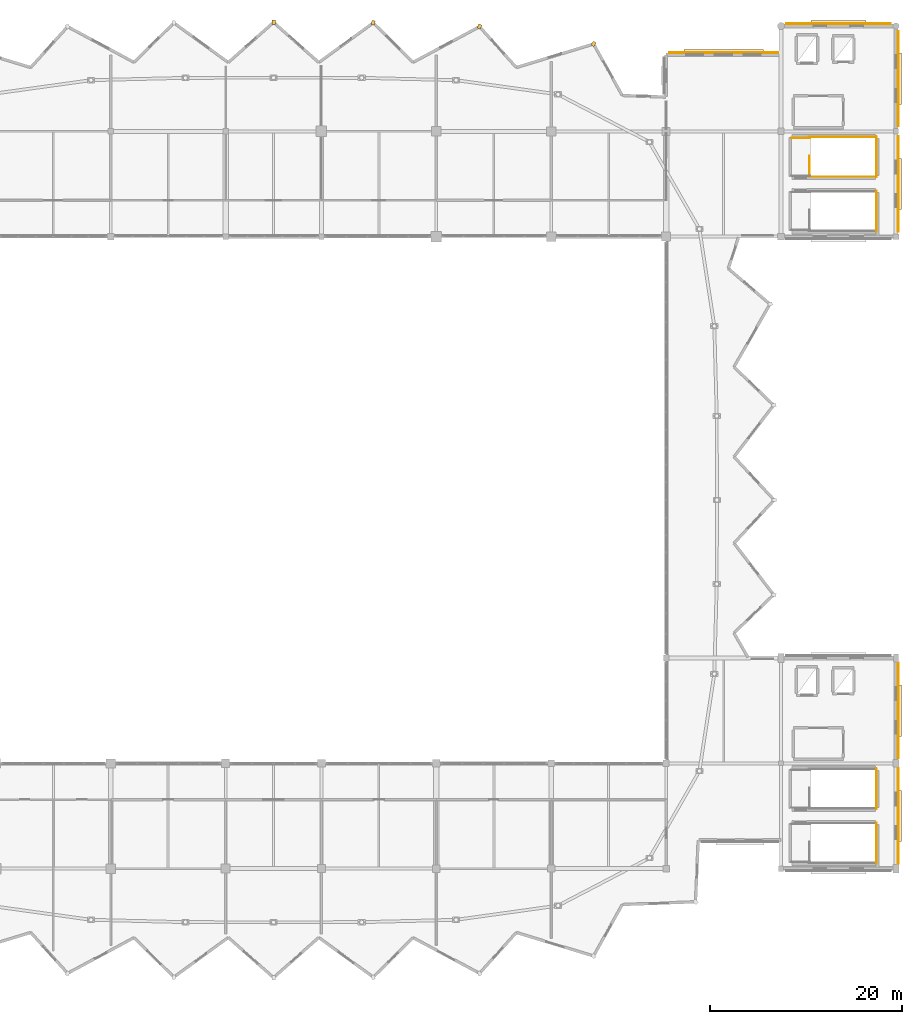
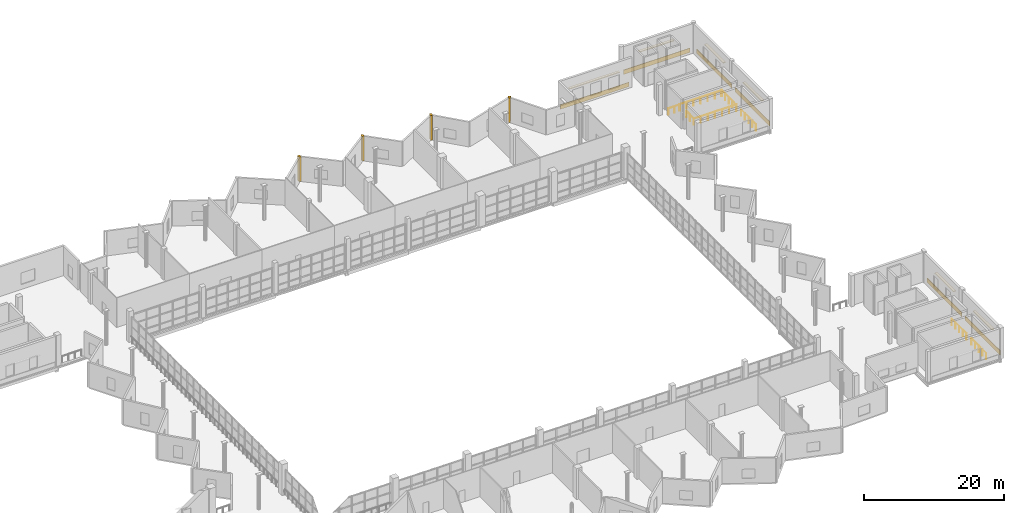
# One storey, part 49 of 49: 16 coverings, 8 railings.
"""IFC4 building model written with IfcOpenShell, lengths in metres."""

from ifc_helpers import new_model, si_unit, direction, frame, origin, origin_2d, place, context, subcontext, project, spatial, rectangle, circle, extrude, material, layer, layer_set, type_object, element, save


model = new_model("IFC4")

# Units and contexts
model_context = context("Model", 3, precision=1e-05, world=origin(), true_north=direction((0.0, 1.0)))
body_context = subcontext(model_context, "Body", "Model", "MODEL_VIEW")
ifc_project = project(units=[si_unit("LENGTHUNIT", "METRE"), si_unit("AREAUNIT", "SQUARE_METRE"), si_unit("VOLUMEUNIT", "CUBIC_METRE"), si_unit("PLANEANGLEUNIT", "RADIAN"), si_unit("MASSUNIT", "GRAM", prefix="KILO")], contexts=[model_context])

# Site, building, storey
site_placement = place(None, origin())
site = spatial("IfcSite", under=ifc_project, at=site_placement, CompositionType="ELEMENT")
building_placement = place(site_placement, origin())
building = spatial("IfcBuilding", under=site, at=building_placement, Name="Luwafu Chhajja Arena", CompositionType="ELEMENT")
storey_placement = place(building_placement, frame((0.0, 0.0, 24.300048828125)))
storey = spatial("IfcBuildingStorey", under=building, at=storey_placement, Name="L05", CompositionType="ELEMENT", Elevation=24.300048828125)

# Coverings
ifc_material_1 = material(Name="Red laterite sandstone cladding", Category="masonry")
ifc_layer = layer(ifc_material_1, 0.074951171875, Name="Red laterite sandstone cladding")
ifc_layer_set = layer_set([ifc_layer], Name="Red laterite sandstone cladding")
covering_type = type_object("IfcCoveringType", Name="Dressed Red-Laterite Sandstone Cladding", PredefinedType="CLADDING", material=ifc_layer_set)
for number, where, z_axis, x_axis, name in (
    (1, (132.427490234375, 97.135986328125, 0.0), (0.0, 0.0, 1.0), (0.574411104334, 0.818566969293, 0.0), "L05 Pleated Bowl Sandstone Ridge Fin 06"),
    (2, (120.510986328125, 98.948974609375, 0.0), (0.0, 0.0, 1.0), (0.398902881432, 0.916993179465, 0.0), "L05 Pleated Bowl Sandstone Ridge Fin 07"),
    (3, (109.412109375, 99.3427734375, 0.0), (0.0, 0.0, 1.0), (0.20448508974, 0.9788696788, 0.0), "L05 Pleated Bowl Sandstone Ridge Fin 08"),
    (4, (99.0, 99.39990234375, 0.0), (0.0, 0.0, 1.0), (0.0, 1.0, 0.0), "L05 Pleated Bowl Sandstone Ridge Fin 09"),
):
    element("IfcCovering", number, at=place(storey_placement, frame(where, z_axis=z_axis, x_axis=x_axis)), inside=storey, type_object=covering_type, Name=name, PredefinedType="CLADDING", context=body_context, shape_type="SweptSolid", body=[
        extrude(rectangle(XDim=0.4599609375, YDim=0.360107421875, at=origin_2d()), origin(), (0.0, 0.0, 1.0), 4.340087890625),
    ])
covering_1_placement = place(storey_placement, frame((146.0, 96.2119140625, 0.0), z_axis=(0.0, 0.0, 1.0), x_axis=(1.0, 0.0, 0.0)))
element("IfcCovering", 5, at=covering_1_placement, inside=storey, type_object=covering_type, Name="L05 Red-Laterite Sandstone Plinth Cladding 138", PredefinedType="CLADDING", context=body_context, shape_type="SweptSolid", body=[
    extrude(rectangle(XDim=11.39990234375, YDim=0.0849609375, at=origin_2d()), origin(), (0.0, 0.0, 1.0), 0.760009765625),
])
covering_2_placement = place(storey_placement, frame((146.0, 96.340087890625, 2.97998046875), z_axis=(0.0, 0.0, 1.0), x_axis=(1.0, 0.0, 0.0)))
element("IfcCovering", 6, at=covering_2_placement, inside=storey, type_object=covering_type, Name="L05 Mughal Sandstone Window Chhajja Hood 0130", PredefinedType="CLADDING", context=body_context, shape_type="SweptSolid", body=[
    extrude(rectangle(XDim=8.300048828125, YDim=0.419921875, at=origin_2d()), origin(), (0.0, 0.0, 1.0), 0.139892578125),
])
covering_3_placement = place(storey_placement, frame((164.23193359375, 16.5, 0.0), z_axis=(0.0, 0.0, 1.0), x_axis=(0.0, 1.0, 0.0)))
element("IfcCovering", 7, at=covering_3_placement, inside=storey, type_object=covering_type, Name="L05 Red-Laterite Sandstone Plinth Cladding 141", PredefinedType="CLADDING", context=body_context, shape_type="SweptSolid", body=[
    extrude(rectangle(XDim=9.9599609375, YDim=0.0849609375, at=origin_2d()), origin(), (0.0, 0.0, 1.0), 0.760009765625),
])
covering_4_placement = place(storey_placement, frame((164.360107421875, 16.5, 2.93017578125), z_axis=(0.0, 0.0, 1.0), x_axis=(0.0, 1.0, 0.0)))
element("IfcCovering", 8, at=covering_4_placement, inside=storey, type_object=covering_type, Name="L05 Mughal Sandstone Window Chhajja Hood 0133", PredefinedType="CLADDING", context=body_context, shape_type="SweptSolid", body=[
    extrude(rectangle(XDim=5.3701171875, YDim=0.419921875, at=origin_2d()), origin(), (0.0, 0.0, 1.0), 0.139892578125),
])
covering_5_placement = place(storey_placement, frame((164.23193359375, 27.5, 0.0), z_axis=(0.0, 0.0, 1.0), x_axis=(0.0, 1.0, 0.0)))
element("IfcCovering", 9, at=covering_5_placement, inside=storey, type_object=covering_type, Name="L05 Red-Laterite Sandstone Plinth Cladding 143", PredefinedType="CLADDING", context=body_context, shape_type="SweptSolid", body=[
    extrude(rectangle(XDim=9.9599609375, YDim=0.0849609375, at=origin_2d()), origin(), (0.0, 0.0, 1.0), 0.760009765625),
])
covering_6_placement = place(storey_placement, frame((164.360107421875, 27.5, 2.93017578125), z_axis=(0.0, 0.0, 1.0), x_axis=(0.0, 1.0, 0.0)))
element("IfcCovering", 10, at=covering_6_placement, inside=storey, type_object=covering_type, Name="L05 Mughal Sandstone Window Chhajja Hood 0135", PredefinedType="CLADDING", context=body_context, shape_type="SweptSolid", body=[
    extrude(rectangle(XDim=5.3701171875, YDim=0.419921875, at=origin_2d()), origin(), (0.0, 0.0, 1.0), 0.139892578125),
])
covering_7_placement = place(storey_placement, frame((164.23193359375, 82.5, 0.0), z_axis=(0.0, 0.0, 1.0), x_axis=(0.0, 1.0, 0.0)))
element("IfcCovering", 11, at=covering_7_placement, inside=storey, type_object=covering_type, Name="L05 Red-Laterite Sandstone Plinth Cladding 145", PredefinedType="CLADDING", context=body_context, shape_type="SweptSolid", body=[
    extrude(rectangle(XDim=9.9599609375, YDim=0.0849609375, at=origin_2d()), origin(), (0.0, 0.0, 1.0), 0.760009765625),
])
covering_8_placement = place(storey_placement, frame((164.360107421875, 82.5, 2.93017578125), z_axis=(0.0, 0.0, 1.0), x_axis=(0.0, 1.0, 0.0)))
element("IfcCovering", 12, at=covering_8_placement, inside=storey, type_object=covering_type, Name="L05 Mughal Sandstone Window Chhajja Hood 0137", PredefinedType="CLADDING", context=body_context, shape_type="SweptSolid", body=[
    extrude(rectangle(XDim=5.3701171875, YDim=0.419921875, at=origin_2d()), origin(), (0.0, 0.0, 1.0), 0.139892578125),
])
covering_9_placement = place(storey_placement, frame((158.0, 99.23193359375, 0.0), z_axis=(0.0, 0.0, 1.0), x_axis=(1.0, 0.0, 0.0)))
element("IfcCovering", 13, at=covering_9_placement, inside=storey, type_object=covering_type, Name="L05 Red-Laterite Sandstone Plinth Cladding 146", PredefinedType="CLADDING", context=body_context, shape_type="SweptSolid", body=[
    extrude(rectangle(XDim=10.9599609375, YDim=0.0849609375, at=origin_2d()), origin(), (0.0, 0.0, 1.0), 0.760009765625),
])
covering_10_placement = place(storey_placement, frame((158.0, 99.360107421875, 2.93017578125), z_axis=(0.0, 0.0, 1.0), x_axis=(1.0, 0.0, 0.0)))
element("IfcCovering", 14, at=covering_10_placement, inside=storey, type_object=covering_type, Name="L05 Mughal Sandstone Window Chhajja Hood 0138", PredefinedType="CLADDING", context=body_context, shape_type="SweptSolid", body=[
    extrude(rectangle(XDim=5.703369140625, YDim=0.419921875, at=origin_2d()), origin(), (0.0, 0.0, 1.0), 0.139892578125),
])
covering_11_placement = place(storey_placement, frame((164.23193359375, 93.5, 0.0), z_axis=(0.0, 0.0, 1.0), x_axis=(0.0, 1.0, 0.0)))
element("IfcCovering", 15, at=covering_11_placement, inside=storey, type_object=covering_type, Name="L05 Red-Laterite Sandstone Plinth Cladding 147", PredefinedType="CLADDING", context=body_context, shape_type="SweptSolid", body=[
    extrude(rectangle(XDim=9.9599609375, YDim=0.0849609375, at=origin_2d()), origin(), (0.0, 0.0, 1.0), 0.760009765625),
])
covering_12_placement = place(storey_placement, frame((164.360107421875, 93.5, 2.93017578125), z_axis=(0.0, 0.0, 1.0), x_axis=(0.0, 1.0, 0.0)))
element("IfcCovering", 16, at=covering_12_placement, inside=storey, type_object=covering_type, Name="L05 Mughal Sandstone Window Chhajja Hood 0139", PredefinedType="CLADDING", context=body_context, shape_type="SweptSolid", body=[
    extrude(rectangle(XDim=5.3701171875, YDim=0.419921875, at=origin_2d()), origin(), (0.0, 0.0, 1.0), 0.139892578125),
])

# Railings
ifc_material_2 = material(Name="Stainless steel balustrade", Category="steel")
railing_type = type_object("IfcRailingType", Name="Stair and Terrace Guard Balustrade 1100", PredefinedType="BALUSTRADE", material=ifc_material_2)
for number, where, name in (
    (17, (161.949951171875, 11.550048828125, 0.0), "L05 ST-03 top well guard 4"),
    (18, (161.949951171875, 17.2099609375, 0.0), "L05 ST-04 top well guard 4"),
    (19, (161.949951171875, 77.550048828125, 0.0), "L05 ST-07 top well guard 4"),
):
    element("IfcRailing", number, at=place(storey_placement, frame(where)), inside=storey, type_object=railing_type, Name=name, PredefinedType="BALUSTRADE", context=body_context, shape_type="SweptSolid", body=[
        extrude(circle(Radius=0.02392578125, at=origin_2d()), frame((0.0, 0.0, 1.076171875), z_axis=(0.0, 1.0, 0.0), x_axis=(-1.0, 0.0, 0.0)), (0.0, 0.0, 1.0), 4.239990234375),
        extrude(circle(Radius=0.02099609375, at=origin_2d()), origin(), (0.0, 0.0, 1.0), 1.052001953125),
        extrude(circle(Radius=0.02099609375, at=origin_2d()), frame((0.0, 1.06005859375, 0.0)), (0.0, 0.0, 1.0), 1.052001953125),
        extrude(circle(Radius=0.02099609375, at=origin_2d()), frame((0.0, 2.1201171875, 0.0)), (0.0, 0.0, 1.0), 1.052001953125),
        extrude(circle(Radius=0.02099609375, at=origin_2d()), frame((0.0, 3.179931640625, 0.0)), (0.0, 0.0, 1.0), 1.052001953125),
        extrude(circle(Radius=0.02099609375, at=origin_2d()), frame((0.0, 4.239990234375, 0.0)), (0.0, 0.0, 1.0), 1.052001953125),
    ])
railing_1_placement = place(storey_placement, frame((154.969970703125, 83.31005859375, 0.0)))
element("IfcRailing", 20, at=railing_1_placement, inside=storey, type_object=railing_type, Name="L05 ST-08 top well guard 1", PredefinedType="BALUSTRADE", context=body_context, shape_type="SweptSolid", body=[
    extrude(circle(Radius=0.02392578125, at=origin_2d()), frame((0.0, 0.0, 1.076171875), z_axis=(0.0, 1.0, 0.0), x_axis=(-1.0, 0.0, 0.0)), (0.0, 0.0, 1.0), 2.119873046875),
    extrude(circle(Radius=0.02099609375, at=origin_2d()), origin(), (0.0, 0.0, 1.0), 1.052001953125),
    extrude(circle(Radius=0.02099609375, at=origin_2d()), frame((0.0, 1.06005859375, 0.0)), (0.0, 0.0, 1.0), 1.052001953125),
    extrude(circle(Radius=0.02099609375, at=origin_2d()), frame((0.0, 2.119873046875, 0.0)), (0.0, 0.0, 1.0), 1.052001953125),
])
for number, where, name in (
    (21, (154.919921875, 83.260009765625, 0.0), "L05 ST-08 top well guard 2"),
    (22, (154.919921875, 87.39990234375, 0.0), "L05 ST-08 top well guard 3"),
):
    element("IfcRailing", number, at=place(storey_placement, frame(where)), inside=storey, type_object=railing_type, Name=name, PredefinedType="BALUSTRADE", context=body_context, shape_type="SweptSolid", body=[
        extrude(circle(Radius=0.02392578125, at=origin_2d()), frame((0.0, 0.0, 1.076171875), z_axis=(1.0, 0.0, 0.0), x_axis=(0.0, 1.0, 0.0)), (0.0, 0.0, 1.0), 7.080078125),
        extrude(circle(Radius=0.02099609375, at=origin_2d()), origin(), (0.0, 0.0, 1.0), 1.052001953125),
        extrude(circle(Radius=0.02099609375, at=origin_2d()), frame((1.179931640625, 0.0, 0.0)), (0.0, 0.0, 1.0), 1.052001953125),
        extrude(circle(Radius=0.02099609375, at=origin_2d()), frame((2.360107421875, 0.0, 0.0)), (0.0, 0.0, 1.0), 1.052001953125),
        extrude(circle(Radius=0.02099609375, at=origin_2d()), frame((3.5400390625, 0.0, 0.0)), (0.0, 0.0, 1.0), 1.052001953125),
        extrude(circle(Radius=0.02099609375, at=origin_2d()), frame((4.719970703125, 0.0, 0.0)), (0.0, 0.0, 1.0), 1.052001953125),
        extrude(circle(Radius=0.02099609375, at=origin_2d()), frame((5.900146484375, 0.0, 0.0)), (0.0, 0.0, 1.0), 1.052001953125),
        extrude(circle(Radius=0.02099609375, at=origin_2d()), frame((7.080078125, 0.0, 0.0)), (0.0, 0.0, 1.0), 1.052001953125),
    ])
railing_2_placement = place(storey_placement, frame((161.949951171875, 83.2099609375, 0.0)))
element("IfcRailing", 23, at=railing_2_placement, inside=storey, type_object=railing_type, Name="L05 ST-08 top well guard 4", PredefinedType="BALUSTRADE", context=body_context, shape_type="SweptSolid", body=[
    extrude(circle(Radius=0.02392578125, at=origin_2d()), frame((0.0, 0.0, 1.076171875), z_axis=(0.0, 1.0, 0.0), x_axis=(-1.0, 0.0, 0.0)), (0.0, 0.0, 1.0), 4.239990234375),
    extrude(circle(Radius=0.02099609375, at=origin_2d()), origin(), (0.0, 0.0, 1.0), 1.052001953125),
    extrude(circle(Radius=0.02099609375, at=origin_2d()), frame((0.0, 1.06005859375, 0.0)), (0.0, 0.0, 1.0), 1.052001953125),
    extrude(circle(Radius=0.02099609375, at=origin_2d()), frame((0.0, 2.1201171875, 0.0)), (0.0, 0.0, 1.0), 1.052001953125),
    extrude(circle(Radius=0.02099609375, at=origin_2d()), frame((0.0, 3.179931640625, 0.0)), (0.0, 0.0, 1.0), 1.052001953125),
    extrude(circle(Radius=0.02099609375, at=origin_2d()), frame((0.0, 4.239990234375, 0.0)), (0.0, 0.0, 1.0), 1.052001953125),
])
railing_3_placement = place(storey_placement, frame((153.10009765625, 87.300048828125, 0.0)))
element("IfcRailing", 24, at=railing_3_placement, inside=storey, type_object=railing_type, Name="L05 ST-08 top well guard 6", PredefinedType="BALUSTRADE", context=body_context, shape_type="SweptSolid", body=[
    extrude(circle(Radius=0.02392578125, at=origin_2d()), frame((0.0, 0.0, 1.076171875), z_axis=(1.0, 0.0, 0.0), x_axis=(0.0, 1.0, 0.0)), (0.0, 0.0, 1.0), 1.919921875),
    extrude(circle(Radius=0.02099609375, at=origin_2d()), origin(), (0.0, 0.0, 1.0), 1.052001953125),
    extrude(circle(Radius=0.02099609375, at=origin_2d()), frame((0.9599609375, 0.0, 0.0)), (0.0, 0.0, 1.0), 1.052001953125),
    extrude(circle(Radius=0.02099609375, at=origin_2d()), frame((1.919921875, 0.0, 0.0)), (0.0, 0.0, 1.0), 1.052001953125),
])

save(model, "model.ifc")
